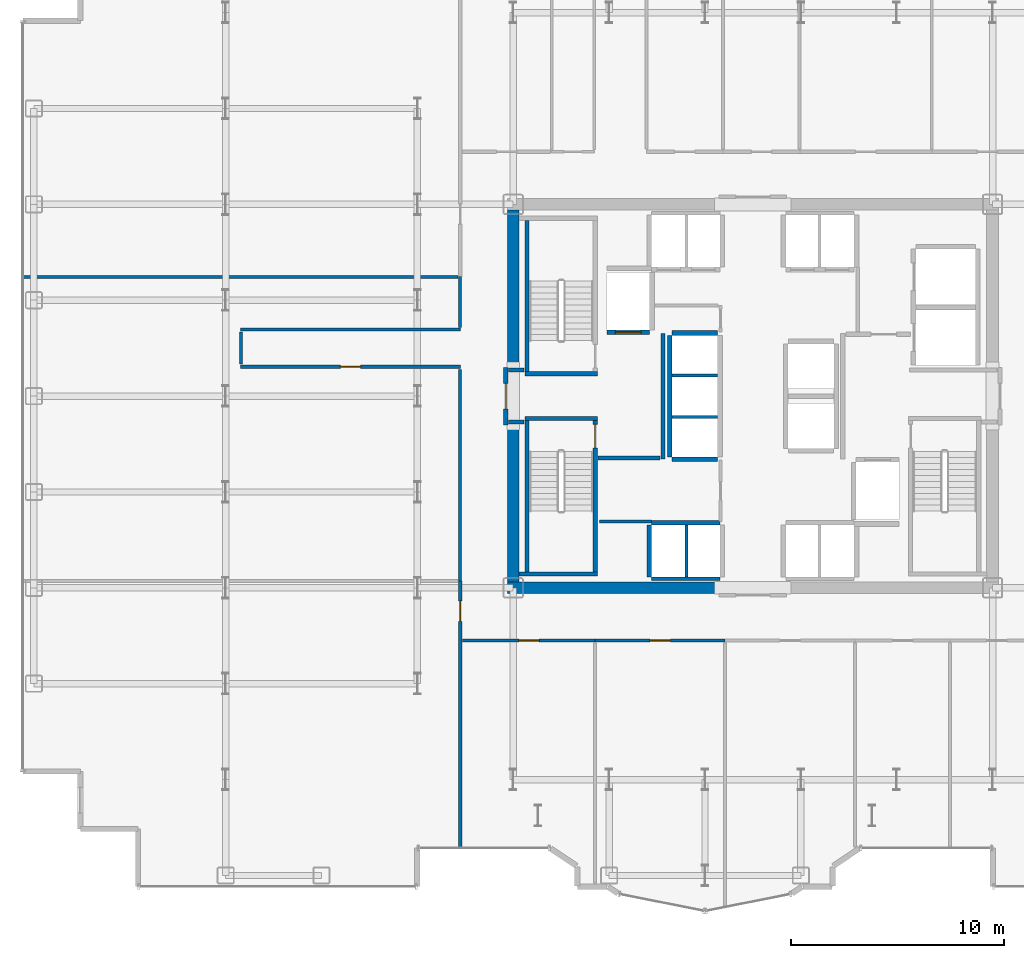
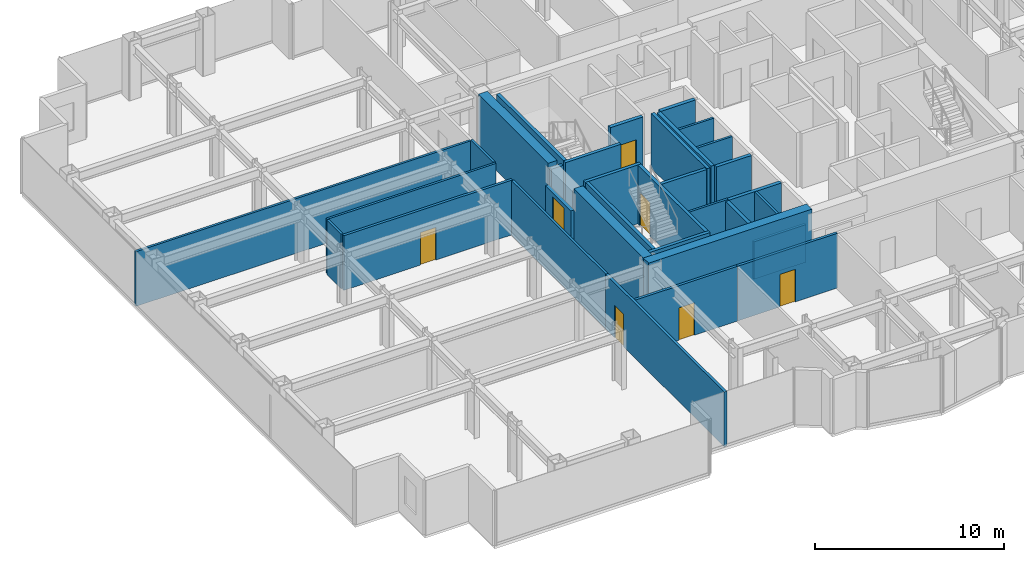
# One storey, part 20 of 26: 34 walls, 7 doors, 7 openings.
"""IFC4 building model written with IfcOpenShell, lengths in metres."""

from ifc_helpers import new_model, si_unit, direction, frame, frame_2d, origin, place, context, subcontext, project, spatial, rectangle, extrude, source, transform, mapped, material, layer, layer_set, type_object, element, fill, save


model = new_model("IFC4")

# Units and contexts
model_context = context("Model", 3, precision=1e-05, world=origin(), true_north=direction((0.0, 1.0)))
body_context = subcontext(model_context, "Body", "Model", "MODEL_VIEW")
ifc_project = project(units=[si_unit("LENGTHUNIT", "METRE"), si_unit("AREAUNIT", "SQUARE_METRE"), si_unit("VOLUMEUNIT", "CUBIC_METRE"), si_unit("PLANEANGLEUNIT", "RADIAN"), si_unit("MASSUNIT", "GRAM", prefix="KILO")], contexts=[model_context])

# Site, building, storey
site_placement = place(None, origin())
site = spatial("IfcSite", under=ifc_project, at=site_placement, CompositionType="ELEMENT")
building_placement = place(site_placement, origin())
building = spatial("IfcBuilding", under=site, at=building_placement, Name="Nefas-Gora Pilgrimage Tower", CompositionType="ELEMENT")
storey_placement = place(building_placement, frame((0.0, 0.0, 132.60009765625)))
storey = spatial("IfcBuildingStorey", under=building, at=storey_placement, Name="L32", CompositionType="ELEMENT", Elevation=132.60009765625)

# Walls
ifc_material_1 = material(Name="Concrete C60/75", Category="concrete")
ifc_layer_1 = layer(ifc_material_1, 0.550048828125)
ifc_layer_set_1 = layer_set([ifc_layer_1], Name="Concrete C60/75")
wall_type_1 = type_object("IfcWallType", Name="SW-CORE-550", PredefinedType="SHEAR", material=ifc_layer_set_1)
shared_shape_1 = source(origin(), body_context, "Body", "SweptSolid", [
    extrude(rectangle(XDim=9.974853515625, YDim=0.550048828125, at=frame_2d((4.9873046875, 0.0))), origin(), (0.0, 0.0, 1.0), 3.7998046875),
])
wall_1_placement = place(storey_placement, frame((-11.52490234375, -9.0, 0.0), z_axis=(0.0, 0.0, 1.0), x_axis=(1.0, 0.0, 0.0)))
element("IfcWall", 1, at=wall_1_placement, inside=storey, type_object=wall_type_1, Name="L32 Core Shear Wall S-West", PredefinedType="SHEAR", context=body_context, shape_type="MappedRepresentation", body=[
    mapped(shared_shape_1, transform((0.0, 0.0, 0.0), x_axis=(1.0, 0.0, 0.0), y_axis=(0.0, 1.0, 0.0), z_axis=(0.0, 0.0, 1.0), scale=1.0)),
])
shared_shape_2 = source(origin(), body_context, "Body", "SweptSolid", [
    extrude(rectangle(XDim=7.375, YDim=0.550048828125, at=frame_2d((3.6875, 0.0))), origin(), (0.0, 0.0, 1.0), 3.7998046875),
])
for number, where, z_axis, x_axis, name in (
    (2, (-11.25, -8.72509765625, 0.0), (0.0, 0.0, 1.0), (0.0, 1.0, 0.0), "L32 Core Shear Wall W-South"),
    (3, (-11.25, 1.35009765625, 0.0), (0.0, 0.0, 1.0), (0.0, 1.0, 0.0), "L32 Core Shear Wall W-North"),
):
    element("IfcWall", number, at=place(storey_placement, frame(where, z_axis=z_axis, x_axis=x_axis)), inside=storey, type_object=wall_type_1, Name=name, PredefinedType="SHEAR", context=body_context, shape_type="MappedRepresentation", body=[
        mapped(shared_shape_2, transform((0.0, 0.0, 0.0), x_axis=(1.0, 0.0, 0.0), y_axis=(0.0, 1.0, 0.0), z_axis=(0.0, 0.0, 1.0), scale=1.0)),
    ])
ifc_material_2 = material(Name="Concrete C45/55", Category="concrete")
ifc_layer_2 = layer(ifc_material_2, 0.199951171875)
ifc_layer_set_2 = layer_set([ifc_layer_2], Name="Concrete C45/55")
wall_type_2 = type_object("IfcWallType", Name="IW-STAIR-200", PredefinedType="SOLIDWALL", material=ifc_layer_set_2)
shared_shape_3 = source(origin(), body_context, "Body", "SweptSolid", [
    extrude(rectangle(XDim=3.39990234375, YDim=0.199951171875, at=frame_2d((1.699951171875, 0.0))), origin(), (0.0, 0.0, 1.0), 3.7998046875),
])
for number, where, z_axis, x_axis, name in (
    (4, (-7.300048828125, 1.050048828125, 0.0), (0.0, 0.0, 1.0), (-1.0, 0.0, 0.0), "L32 Stairwell Shear Wall ST-01-near"),
    (5, (-10.699951171875, -1.050048828125, 0.0), (0.0, 0.0, 1.0), (1.0, 0.0, 0.0), "L32 Stairwell Shear Wall ST-03-near"),
):
    element("IfcWall", number, at=place(storey_placement, frame(where, z_axis=z_axis, x_axis=x_axis)), inside=storey, type_object=wall_type_2, Name=name, PredefinedType="SOLIDWALL", context=body_context, shape_type="MappedRepresentation", body=[
        mapped(shared_shape_3, transform((0.0, 0.0, 0.0), x_axis=(1.0, 0.0, 0.0), y_axis=(0.0, 1.0, 0.0), z_axis=(0.0, 0.0, 1.0), scale=1.0)),
    ])
shared_shape_4 = source(origin(), body_context, "Body", "SweptSolid", [
    extrude(rectangle(XDim=7.10009765625, YDim=0.199951171875, at=frame_2d((3.550048828125, 0.0))), origin(), (0.0, 0.0, 1.0), 3.7998046875),
])
for number, where, z_axis, x_axis, name in (
    (6, (-10.60009765625, 1.14990234375, 0.0), (0.0, 0.0, 1.0), (0.0, 1.0, 0.0), "L32 Stairwell Shear Wall ST-01-right"),
    (7, (-10.60009765625, -1.14990234375, 0.0), (0.0, 0.0, 1.0), (0.0, -1.0, 0.0), "L32 Stairwell Shear Wall ST-03-left"),
):
    element("IfcWall", number, at=place(storey_placement, frame(where, z_axis=z_axis, x_axis=x_axis)), inside=storey, type_object=wall_type_2, Name=name, PredefinedType="SOLIDWALL", context=body_context, shape_type="MappedRepresentation", body=[
        mapped(shared_shape_4, transform((0.0, 0.0, 0.0), x_axis=(1.0, 0.0, 0.0), y_axis=(0.0, 1.0, 0.0), z_axis=(0.0, 0.0, 1.0), scale=1.0)),
    ])

# Wall, opening, door
wall_2_placement = place(storey_placement, frame((-7.39990234375, -1.14990234375, 0.0), z_axis=(0.0, 0.0, 1.0), x_axis=(0.0, -1.0, 0.0)))
wall_2 = element("IfcWall", 8, at=wall_2_placement, inside=storey, type_object=wall_type_2, Name="L32 Stairwell Shear Wall ST-03-right", PredefinedType="SOLIDWALL", context=body_context, shape_type="MappedRepresentation", body=[
    mapped(shared_shape_4, transform((0.0, 0.0, 0.0), x_axis=(1.0, 0.0, 0.0), y_axis=(0.0, 1.0, 0.0), z_axis=(0.0, 0.0, 1.0), scale=1.0)),
])
opening_1_placement = place(wall_2_placement, frame((0.179931640625, 0.0, 0.0)))
opening_1 = element("IfcOpeningElement", 9, at=opening_1_placement, cuts=wall_2, Name="Opening ID-ST1", PredefinedType="OPENING", context=body_context, shape_type="SweptSolid", body=[
    extrude(rectangle(XDim=1.10009765625, YDim=2.14990234375, at=frame_2d((0.550048828125, 1.074951171875))), frame((0.0, 0.10986328125, 0.0), z_axis=(0.0, -1.0, 0.0), x_axis=(1.0, 0.0, 0.0)), (0.0, 0.0, 1.0), 0.219970703125),
])
ifc_material_3 = material(Name="Painted galvanised steel fire stair door", Category="steel")
door_type_1 = type_object("IfcDoorType", Name="DR-INT-STAIR-1100", OperationType="NOTDEFINED", PredefinedType="DOOR", material=ifc_material_3)
shared_shape_5 = source(origin(), body_context, "Body", "SweptSolid", [
    extrude(rectangle(XDim=1.10009765625, YDim=2.14990234375, at=frame_2d((0.550048828125, 1.074951171875))), frame((0.0, 0.02490234375, 0.0), z_axis=(0.0, -1.0, 0.0), x_axis=(1.0, 0.0, 0.0)), (0.0, 0.0, 1.0), 0.050048828125),
])
door_1_placement = place(opening_1_placement, origin())
door_1 = element("IfcDoor", 10, at=door_1_placement, inside=storey, type_object=door_type_1, Name="L32 Protected Exit Stair Door ST-03", OperationType="SINGLE_SWING_RIGHT", OverallHeight=2.14990234375, OverallWidth=1.10009765625, PredefinedType="DOOR", context=body_context, shape_type="MappedRepresentation", body=[
    mapped(shared_shape_5, transform((0.0, 0.0, 0.0), x_axis=(1.0, 0.0, 0.0), y_axis=(0.0, 1.0, 0.0), z_axis=(0.0, 0.0, 1.0), scale=1.0)),
])
fill(opening_1, door_1)

# Wall
shared_shape_6 = source(origin(), body_context, "Body", "SweptSolid", [
    extrude(rectangle(XDim=3.679931640625, YDim=0.199951171875, at=frame_2d((1.83984375, 0.0))), origin(), (0.0, 0.0, 1.0), 3.7998046875),
])
wall_3_placement = place(storey_placement, frame((-10.97998046875, -8.35009765625, 0.0), z_axis=(0.0, 0.0, 1.0), x_axis=(1.0, 0.0, 0.0)))
element("IfcWall", 11, at=wall_3_placement, inside=storey, type_object=wall_type_2, Name="L32 Stairwell Shear Wall ST-03-far", PredefinedType="SOLIDWALL", context=body_context, shape_type="MappedRepresentation", body=[
    mapped(shared_shape_6, transform((0.0, 0.0, 0.0), x_axis=(1.0, 0.0, 0.0), y_axis=(0.0, 1.0, 0.0), z_axis=(0.0, 0.0, 1.0), scale=1.0)),
])

# Wall, opening, door
ifc_material_4 = material(Name="Concrete C40/50", Category="concrete")
ifc_layer_3 = layer(ifc_material_4, 0.219970703125)
ifc_layer_set_3 = layer_set([ifc_layer_3], Name="Concrete C40/50")
wall_type_3 = type_object("IfcWallType", Name="IW-SHAFT-220", PredefinedType="SOLIDWALL", material=ifc_layer_set_3)
shared_shape_7 = source(origin(), body_context, "Body", "SweptSolid", [
    extrude(rectangle(XDim=2.0, YDim=0.219970703125, at=frame_2d((1.0, 0.0))), origin(), (0.0, 0.0, 1.0), 3.534912109375),
])
wall_4_placement = place(storey_placement, frame((-6.85009765625, 2.989990234375, 0.0), z_axis=(0.0, 0.0, 1.0), x_axis=(1.0, 0.0, 0.0)))
wall_4 = element("IfcWall", 12, at=wall_4_placement, inside=storey, type_object=wall_type_3, Name="L32 Hoistway Wall FFL-01-S", PredefinedType="SOLIDWALL", context=body_context, shape_type="MappedRepresentation", body=[
    mapped(shared_shape_7, transform((0.0, 0.0, 0.0), x_axis=(1.0, 0.0, 0.0), y_axis=(0.0, 1.0, 0.0), z_axis=(0.0, 0.0, 1.0), scale=1.0)),
])
opening_2_placement = place(wall_4_placement, frame((0.39990234375, 0.0, 0.0)))
opening_2 = element("IfcOpeningElement", 13, at=opening_2_placement, cuts=wall_4, Name="Opening LD-FF", PredefinedType="OPENING", context=body_context, shape_type="SweptSolid", body=[
    extrude(rectangle(XDim=1.199951171875, YDim=2.199951171875, at=frame_2d((0.60009765625, 1.10009765625))), frame((0.0, 0.119873046875, 0.0), z_axis=(0.0, -1.0, 0.0), x_axis=(1.0, 0.0, 0.0)), (0.0, 0.0, 1.0), 0.239990234375),
])
ifc_material_5 = material(Name="Fire-service sliding lift landing door")
door_type_2 = type_object("IfcDoorType", Name="DR-LIFT-FSAE-1200", OperationType="SLIDING_TO_LEFT", PredefinedType="DOOR", material=ifc_material_5)
shared_shape_8 = source(origin(), body_context, "Body", "SweptSolid", [
    extrude(rectangle(XDim=1.199951171875, YDim=2.199951171875, at=frame_2d((0.60009765625, 1.10009765625))), frame((0.0, 0.02490234375, 0.0), z_axis=(0.0, -1.0, 0.0), x_axis=(1.0, 0.0, 0.0)), (0.0, 0.0, 1.0), 0.050048828125),
])
door_2_placement = place(opening_2_placement, origin())
door_2 = element("IfcDoor", 14, at=door_2_placement, inside=storey, type_object=door_type_2, Name="L32 Sliding Lift Landing Door FFL-01", OperationType="SLIDING_TO_LEFT", OverallHeight=2.199951171875, OverallWidth=1.199951171875, PredefinedType="DOOR", context=body_context, shape_type="MappedRepresentation", body=[
    mapped(shared_shape_8, transform((0.0, 0.0, 0.0), x_axis=(1.0, 0.0, 0.0), y_axis=(0.0, 1.0, 0.0), z_axis=(0.0, 0.0, 1.0), scale=1.0)),
])
fill(opening_2, door_2)

# Walls
shared_shape_9 = source(origin(), body_context, "Body", "SweptSolid", [
    extrude(rectangle(XDim=3.199951171875, YDim=0.219970703125, at=frame_2d((1.60009765625, 0.0))), origin(), (0.0, 0.0, 1.0), 3.534912109375),
])
wall_5_placement = place(storey_placement, frame((-1.550048828125, -5.93994140625, 0.0), z_axis=(0.0, 0.0, 1.0), x_axis=(-1.0, 0.0, 0.0)))
element("IfcWall", 15, at=wall_5_placement, inside=storey, type_object=wall_type_3, Name="L32 Hoistway Wall PL2-W-N", PredefinedType="SOLIDWALL", context=body_context, shape_type="MappedRepresentation", body=[
    mapped(shared_shape_9, transform((0.0, 0.0, 0.0), x_axis=(1.0, 0.0, 0.0), y_axis=(0.0, 1.0, 0.0), z_axis=(0.0, 0.0, 1.0), scale=1.0)),
])
shared_shape_10 = source(origin(), body_context, "Body", "SweptSolid", [
    extrude(rectangle(XDim=2.429931640625, YDim=0.219970703125, at=frame_2d((1.21484375, 0.0))), origin(), (0.0, 0.0, 1.0), 3.534912109375),
])
wall_6_placement = place(storey_placement, frame((-4.860107421875, -6.06005859375, 0.0), z_axis=(0.0, 0.0, 1.0), x_axis=(0.0, -1.0, 0.0)))
element("IfcWall", 16, at=wall_6_placement, inside=storey, type_object=wall_type_3, Name="L32 Hoistway Wall PL2-W-W", PredefinedType="SOLIDWALL", context=body_context, shape_type="MappedRepresentation", body=[
    mapped(shared_shape_10, transform((0.0, 0.0, 0.0), x_axis=(1.0, 0.0, 0.0), y_axis=(0.0, 1.0, 0.0), z_axis=(0.0, 0.0, 1.0), scale=1.0)),
])
ifc_material_6 = material(Name="Gypsum twin-stud partition")
ifc_layer_4 = layer(ifc_material_6, 0.139892578125)
ifc_layer_set_4 = layer_set([ifc_layer_4], Name="Gypsum twin-stud partition")
wall_type_4 = type_object("IfcWallType", Name="IW-UNIT-140", PredefinedType="PARTITIONING", material=ifc_layer_set_4)
shared_shape_11 = source(origin(), body_context, "Body", "SweptSolid", [
    extrude(rectangle(XDim=2.429931640625, YDim=0.139892578125, at=frame_2d((1.21484375, 0.0))), origin(), (0.0, 0.0, 1.0), 3.534912109375),
])
wall_7_placement = place(storey_placement, frame((-3.125, -8.489990234375, 0.0), z_axis=(0.0, 0.0, 1.0), x_axis=(0.0, 1.0, 0.0)))
element("IfcWall", 17, at=wall_7_placement, inside=storey, type_object=wall_type_4, Name="L32 Hoistway Wall PL2-W-DIV", PredefinedType="PARTITIONING", context=body_context, shape_type="MappedRepresentation", body=[
    mapped(shared_shape_11, transform((0.0, 0.0, 0.0), x_axis=(1.0, 0.0, 0.0), y_axis=(0.0, 1.0, 0.0), z_axis=(0.0, 0.0, 1.0), scale=1.0)),
])
shared_shape_12 = source(origin(), body_context, "Body", "SweptSolid", [
    extrude(rectangle(XDim=5.7001953125, YDim=0.219970703125, at=frame_2d((2.85009765625, 0.0))), origin(), (0.0, 0.0, 1.0), 3.534912109375),
])
wall_8_placement = place(storey_placement, frame((-3.909912109375, 2.85009765625, 0.0), z_axis=(0.0, 0.0, 1.0), x_axis=(0.0, -1.0, 0.0)))
element("IfcWall", 18, at=wall_8_placement, inside=storey, type_object=wall_type_3, Name="L32 Hoistway Wall PL3-01-03-W", PredefinedType="SOLIDWALL", context=body_context, shape_type="MappedRepresentation", body=[
    mapped(shared_shape_12, transform((0.0, 0.0, 0.0), x_axis=(1.0, 0.0, 0.0), y_axis=(0.0, 1.0, 0.0), z_axis=(0.0, 0.0, 1.0), scale=1.0)),
])
shared_shape_13 = source(origin(), body_context, "Body", "SweptSolid", [
    extrude(rectangle(XDim=2.130126953125, YDim=0.219970703125, at=frame_2d((1.06494140625, 0.0))), origin(), (0.0, 0.0, 1.0), 3.534912109375),
])
for number, where, z_axis, x_axis, name in (
    (19, (-3.7900390625, -2.9599609375, 0.0), (0.0, 0.0, 1.0), (1.0, 0.0, 0.0), "L32 Hoistway Wall PL3-01-S"),
    (20, (-1.659912109375, 2.9599609375, 0.0), (0.0, 0.0, 1.0), (-1.0, 0.0, 0.0), "L32 Hoistway Wall PL3-03-N"),
):
    element("IfcWall", number, at=place(storey_placement, frame(where, z_axis=z_axis, x_axis=x_axis)), inside=storey, type_object=wall_type_3, Name=name, PredefinedType="SOLIDWALL", context=body_context, shape_type="MappedRepresentation", body=[
        mapped(shared_shape_13, transform((0.0, 0.0, 0.0), x_axis=(1.0, 0.0, 0.0), y_axis=(0.0, 1.0, 0.0), z_axis=(0.0, 0.0, 1.0), scale=1.0)),
    ])
shared_shape_14 = source(origin(), body_context, "Body", "SweptSolid", [
    extrude(rectangle(XDim=2.130126953125, YDim=0.139892578125, at=frame_2d((1.06494140625, 0.0))), origin(), (0.0, 0.0, 1.0), 3.534912109375),
])
for number, where, z_axis, x_axis, name in (
    (21, (-3.7900390625, -0.97509765625, 0.0), (0.0, 0.0, 1.0), (1.0, 0.0, 0.0), "L32 Hoistway Wall PL3-01-02-DIV"),
    (22, (-3.7900390625, 0.97509765625, 0.0), (0.0, 0.0, 1.0), (1.0, 0.0, 0.0), "L32 Hoistway Wall PL3-02-03-DIV"),
):
    element("IfcWall", number, at=place(storey_placement, frame(where, z_axis=z_axis, x_axis=x_axis)), inside=storey, type_object=wall_type_4, Name=name, PredefinedType="PARTITIONING", context=body_context, shape_type="MappedRepresentation", body=[
        mapped(shared_shape_14, transform((0.0, 0.0, 0.0), x_axis=(1.0, 0.0, 0.0), y_axis=(0.0, 1.0, 0.0), z_axis=(0.0, 0.0, 1.0), scale=1.0)),
    ])
ifc_material_7 = material(Name="Gypsum acoustic stud partition")
ifc_layer_5 = layer(ifc_material_7, 0.159912109375)
ifc_layer_set_5 = layer_set([ifc_layer_5], Name="Gypsum acoustic stud partition")
wall_type_5 = type_object("IfcWallType", Name="IW-CORR-160", PredefinedType="PARTITIONING", material=ifc_layer_set_5)
shared_shape_15 = source(origin(), body_context, "Body", "SweptSolid", [
    extrude(rectangle(XDim=3.199951171875, YDim=0.159912109375, at=frame_2d((1.60009765625, 0.0))), origin(), (0.0, 0.0, 1.0), 2.4248046875),
])
wall_9_placement = place(storey_placement, frame((-4.75, -8.580078125, 0.0), z_axis=(0.0, 0.0, 1.0), x_axis=(1.0, 0.0, 0.0)))
element("IfcWall", 23, at=wall_9_placement, inside=storey, type_object=wall_type_5, Name="L32 Hoistway Wall PL2-W-S", PredefinedType="PARTITIONING", context=body_context, shape_type="MappedRepresentation", body=[
    mapped(shared_shape_15, transform((0.0, 0.0, 0.0), x_axis=(1.0, 0.0, 0.0), y_axis=(0.0, 1.0, 0.0), z_axis=(0.0, 0.0, 1.0), scale=1.0)),
])
ifc_material_8 = material(Name="Gypsum fire-rated shaftwall")
ifc_layer_6 = layer(ifc_material_8, 0.199951171875)
ifc_layer_set_6 = layer_set([ifc_layer_6], Name="Gypsum fire-rated shaftwall")
wall_type_6 = type_object("IfcWallType", Name="IW-FFLOB-200", PredefinedType="PARTITIONING", material=ifc_layer_set_6)
shared_shape_16 = source(origin(), body_context, "Body", "SweptSolid", [
    extrude(rectangle(XDim=5.89990234375, YDim=0.199951171875, at=frame_2d((2.949951171875, 0.0))), origin(), (0.0, 0.0, 1.0), 3.534912109375),
])
wall_10_placement = place(storey_placement, frame((-4.219970703125, -2.949951171875, 0.0), z_axis=(0.0, 0.0, 1.0), x_axis=(0.0, 1.0, 0.0)))
element("IfcWall", 24, at=wall_10_placement, inside=storey, type_object=wall_type_6, Name="L32 FF Lobby West Inner Wall Wall 4", PredefinedType="PARTITIONING", context=body_context, shape_type="MappedRepresentation", body=[
    mapped(shared_shape_16, transform((0.0, 0.0, 0.0), x_axis=(1.0, 0.0, 0.0), y_axis=(0.0, 1.0, 0.0), z_axis=(0.0, 0.0, 1.0), scale=1.0)),
])
shared_shape_17 = source(origin(), body_context, "Body", "SweptSolid", [
    extrude(rectangle(XDim=2.89990234375, YDim=0.199951171875, at=frame_2d((1.449951171875, 0.0))), origin(), (0.0, 0.0, 1.0), 3.534912109375),
])
wall_11_placement = place(storey_placement, frame((-7.260009765625, -2.89990234375, 0.0), z_axis=(0.0, 0.0, 1.0), x_axis=(1.0, 0.0, 0.0)))
element("IfcWall", 25, at=wall_11_placement, inside=storey, type_object=wall_type_6, Name="L32 FF Lobby West South Wall Wall 5", PredefinedType="PARTITIONING", context=body_context, shape_type="MappedRepresentation", body=[
    mapped(shared_shape_17, transform((0.0, 0.0, 0.0), x_axis=(1.0, 0.0, 0.0), y_axis=(0.0, 1.0, 0.0), z_axis=(0.0, 0.0, 1.0), scale=1.0)),
])
shared_shape_18 = source(origin(), body_context, "Body", "SweptSolid", [
    extrude(rectangle(XDim=0.719970703125, YDim=0.199951171875, at=frame_2d((0.35986328125, 0.0))), origin(), (0.0, 0.0, 1.0), 3.534912109375),
])
for number, where, z_axis, x_axis, name in (
    (26, (-11.4599609375, 1.219970703125, 0.0), (0.0, 0.0, 1.0), (1.0, 0.0, 0.0), "L32 FF Lobby West Throat N Wall 6"),
    (27, (-11.4599609375, -1.219970703125, 0.0), (0.0, 0.0, 1.0), (1.0, 0.0, 0.0), "L32 FF Lobby West Throat S Wall 7"),
):
    element("IfcWall", number, at=place(storey_placement, frame(where, z_axis=z_axis, x_axis=x_axis)), inside=storey, type_object=wall_type_6, Name=name, PredefinedType="PARTITIONING", context=body_context, shape_type="MappedRepresentation", body=[
        mapped(shared_shape_18, transform((0.0, 0.0, 0.0), x_axis=(1.0, 0.0, 0.0), y_axis=(0.0, 1.0, 0.0), z_axis=(0.0, 0.0, 1.0), scale=1.0)),
    ])
shared_shape_19 = source(origin(), body_context, "Body", "SweptSolid", [
    extrude(rectangle(XDim=2.43505859375, YDim=0.139892578125, at=frame_2d((1.217529296875, 0.0))), origin(), (0.0, 0.0, 1.0), 3.534912109375),
])
wall_12_placement = place(storey_placement, frame((-7.18994140625, -5.8798828125, 0.0), z_axis=(0.0, 0.0, 1.0), x_axis=(1.0, 0.0, 0.0)))
element("IfcWall", 28, at=wall_12_placement, inside=storey, type_object=wall_type_4, Name="L32 Pilgrim Baggage and Gear Vault Partition Wall 19", PredefinedType="PARTITIONING", context=body_context, shape_type="MappedRepresentation", body=[
    mapped(shared_shape_19, transform((0.0, 0.0, 0.0), x_axis=(1.0, 0.0, 0.0), y_axis=(0.0, 1.0, 0.0), z_axis=(0.0, 0.0, 1.0), scale=1.0)),
])
shared_shape_20 = source(origin(), body_context, "Body", "SweptSolid", [
    extrude(rectangle(XDim=20.43994140625, YDim=0.139892578125, at=frame_2d((10.219970703125, 0.0))), origin(), (0.0, 0.0, 1.0), 3.534912109375),
])
wall_13_placement = place(storey_placement, frame((-34.2900390625, 5.594970703125, 0.0), z_axis=(0.0, 0.0, 1.0), x_axis=(1.0, 0.0, 0.0)))
element("IfcWall", 29, at=wall_13_placement, inside=storey, type_object=wall_type_4, Name="L32 Pilgrim Floor Concierge Foyer Partition Wall 29", PredefinedType="PARTITIONING", context=body_context, shape_type="MappedRepresentation", body=[
    mapped(shared_shape_20, transform((0.0, 0.0, 0.0), x_axis=(1.0, 0.0, 0.0), y_axis=(0.0, 1.0, 0.0), z_axis=(0.0, 0.0, 1.0), scale=1.0)),
])

# Wall, opening, door
shared_shape_21 = source(origin(), body_context, "Body", "SweptSolid", [
    extrude(rectangle(XDim=2.7001953125, YDim=0.199951171875, at=frame_2d((1.35009765625, 0.0))), origin(), (0.0, 0.0, 1.0), 2.4248046875),
])
wall_14_placement = place(storey_placement, frame((-11.60009765625, -1.35009765625, 0.0), z_axis=(0.0, 0.0, 1.0), x_axis=(0.0, 1.0, 0.0)))
wall_14 = element("IfcWall", 30, at=wall_14_placement, inside=storey, type_object=wall_type_6, Name="L32 FF Lobby West Portal Wall 3", PredefinedType="PARTITIONING", context=body_context, shape_type="MappedRepresentation", body=[
    mapped(shared_shape_21, transform((0.0, 0.0, 0.0), x_axis=(1.0, 0.0, 0.0), y_axis=(0.0, 1.0, 0.0), z_axis=(0.0, 0.0, 1.0), scale=1.0)),
])
opening_3_placement = place(wall_14_placement, frame((0.75, 0.0, 0.0)))
opening_3 = element("IfcOpeningElement", 31, at=opening_3_placement, cuts=wall_14, Name="Opening ID-FF1", PredefinedType="OPENING", context=body_context, shape_type="SweptSolid", body=[
    extrude(rectangle(XDim=1.199951171875, YDim=2.14990234375, at=frame_2d((0.60009765625, 1.074951171875))), frame((0.0, 0.10986328125, 0.0), z_axis=(0.0, -1.0, 0.0), x_axis=(1.0, 0.0, 0.0)), (0.0, 0.0, 1.0), 0.219970703125),
])
ifc_material_9 = material(Name="Smoke-sealed steel firefighting lobby door", Category="steel")
door_type_3 = type_object("IfcDoorType", Name="DR-INT-FFLOB-1200", OperationType="NOTDEFINED", PredefinedType="DOOR", material=ifc_material_9)
shared_shape_22 = source(origin(), body_context, "Body", "SweptSolid", [
    extrude(rectangle(XDim=1.199951171875, YDim=2.14990234375, at=frame_2d((0.60009765625, 1.074951171875))), frame((0.0, 0.02490234375, 0.0), z_axis=(0.0, -1.0, 0.0), x_axis=(1.0, 0.0, 0.0)), (0.0, 0.0, 1.0), 0.050048828125),
])
door_3_placement = place(opening_3_placement, origin())
door_3 = element("IfcDoor", 32, at=door_3_placement, inside=storey, type_object=door_type_3, Name="L32 FF Lobby West Portal Door 1", OperationType="SINGLE_SWING_RIGHT", OverallHeight=2.14990234375, OverallWidth=1.199951171875, PredefinedType="DOOR", context=body_context, shape_type="MappedRepresentation", body=[
    mapped(shared_shape_22, transform((0.0, 0.0, 0.0), x_axis=(1.0, 0.0, 0.0), y_axis=(0.0, 1.0, 0.0), z_axis=(0.0, 0.0, 1.0), scale=1.0)),
])
fill(opening_3, door_3)

shared_shape_23 = source(origin(), body_context, "Body", "SweptSolid", [
    extrude(rectangle(XDim=6.22509765625, YDim=0.159912109375, at=frame_2d((3.112548828125, 0.0))), origin(), (0.0, 0.0, 1.0), 3.534912109375),
])
wall_15_placement = place(storey_placement, frame((-13.6201171875, -11.469970703125, 0.0), z_axis=(0.0, 0.0, 1.0), x_axis=(1.0, 0.0, 0.0)))
wall_15 = element("IfcWall", 33, at=wall_15_placement, inside=storey, type_object=wall_type_5, Name="L32 Pilgrim Contemplative Lounge Partition Wall 52", PredefinedType="PARTITIONING", context=body_context, shape_type="MappedRepresentation", body=[
    mapped(shared_shape_23, transform((0.0, 0.0, 0.0), x_axis=(1.0, 0.0, 0.0), y_axis=(0.0, 1.0, 0.0), z_axis=(0.0, 0.0, 1.0), scale=1.0)),
])
opening_4_placement = place(wall_15_placement, frame((2.637451171875, 0.0, 0.0)))
opening_4 = element("IfcOpeningElement", 34, at=opening_4_placement, cuts=wall_15, Name="Opening ID-GR1", PredefinedType="OPENING", context=body_context, shape_type="SweptSolid", body=[
    extrude(rectangle(XDim=0.949951171875, YDim=2.10009765625, at=frame_2d((0.47509765625, 1.050048828125))), frame((0.0, 0.08984375, 0.0), z_axis=(0.0, -1.0, 0.0), x_axis=(1.0, 0.0, 0.0)), (0.0, 0.0, 1.0), 0.179931640625),
])
ifc_material_10 = material(Name="Solid core oak fire-rated guest entrance door")
door_type_4 = type_object("IfcDoorType", Name="DR-INT-GUEST-950", OperationType="NOTDEFINED", PredefinedType="DOOR", material=ifc_material_10)
shared_shape_24 = source(origin(), body_context, "Body", "SweptSolid", [
    extrude(rectangle(XDim=0.949951171875, YDim=2.10009765625, at=frame_2d((0.47509765625, 1.050048828125))), frame((0.0, 0.02490234375, 0.0), z_axis=(0.0, -1.0, 0.0), x_axis=(1.0, 0.0, 0.0)), (0.0, 0.0, 1.0), 0.050048828125),
])
door_4_placement = place(opening_4_placement, origin())
door_4 = element("IfcDoor", 35, at=door_4_placement, inside=storey, type_object=door_type_4, Name="L32 Pilgrim Contemplative Lounge Door 23", OperationType="SINGLE_SWING_RIGHT", OverallHeight=2.10009765625, OverallWidth=0.949951171875, PredefinedType="DOOR", context=body_context, shape_type="MappedRepresentation", body=[
    mapped(shared_shape_24, transform((0.0, 0.0, 0.0), x_axis=(1.0, 0.0, 0.0), y_axis=(0.0, 1.0, 0.0), z_axis=(0.0, 0.0, 1.0), scale=1.0)),
])
fill(opening_4, door_4)

shared_shape_25 = source(origin(), body_context, "Body", "SweptSolid", [
    extrude(rectangle(XDim=10.31005859375, YDim=0.159912109375, at=frame_2d((5.155029296875, 0.0))), origin(), (0.0, 0.0, 1.0), 3.534912109375),
])
wall_16_placement = place(storey_placement, frame((-24.0400390625, 1.3798828125, 0.0), z_axis=(0.0, 0.0, 1.0), x_axis=(1.0, 0.0, 0.0)))
wall_16 = element("IfcWall", 36, at=wall_16_placement, inside=storey, type_object=wall_type_5, Name="L32 Pilgrim Floor Concierge Foyer Partition Wall 23", PredefinedType="PARTITIONING", context=body_context, shape_type="MappedRepresentation", body=[
    mapped(shared_shape_25, transform((0.0, 0.0, 0.0), x_axis=(1.0, 0.0, 0.0), y_axis=(0.0, 1.0, 0.0), z_axis=(0.0, 0.0, 1.0), scale=1.0)),
])
opening_5_placement = place(wall_16_placement, frame((4.679931640625, 0.0, 0.0)))
opening_5 = element("IfcOpeningElement", 37, at=opening_5_placement, cuts=wall_16, Name="Opening ID-GR1", PredefinedType="OPENING", context=body_context, shape_type="SweptSolid", body=[
    extrude(rectangle(XDim=0.949951171875, YDim=2.10009765625, at=frame_2d((0.47509765625, 1.050048828125))), frame((0.0, 0.08984375, 0.0), z_axis=(0.0, -1.0, 0.0), x_axis=(1.0, 0.0, 0.0)), (0.0, 0.0, 1.0), 0.179931640625),
])
door_5_placement = place(opening_5_placement, origin())
door_5 = element("IfcDoor", 38, at=door_5_placement, inside=storey, type_object=door_type_4, Name="L32 Pilgrim Floor Concierge Foyer Door 9", OperationType="SINGLE_SWING_RIGHT", OverallHeight=2.10009765625, OverallWidth=0.949951171875, PredefinedType="DOOR", context=body_context, shape_type="MappedRepresentation", body=[
    mapped(shared_shape_24, transform((0.0, 0.0, 0.0), x_axis=(1.0, 0.0, 0.0), y_axis=(0.0, 1.0, 0.0), z_axis=(0.0, 0.0, 1.0), scale=1.0)),
])
fill(opening_5, door_5)

# Walls
shared_shape_26 = source(origin(), body_context, "Body", "SweptSolid", [
    extrude(rectangle(XDim=10.31005859375, YDim=0.139892578125, at=frame_2d((5.155029296875, 0.0))), origin(), (0.0, 0.0, 1.0), 3.534912109375),
])
wall_17_placement = place(storey_placement, frame((-24.0400390625, 3.1201171875, 0.0), z_axis=(0.0, 0.0, 1.0), x_axis=(1.0, 0.0, 0.0)))
element("IfcWall", 39, at=wall_17_placement, inside=storey, type_object=wall_type_4, Name="L32 Pilgrim Floor Concierge Foyer Partition Wall 24", PredefinedType="PARTITIONING", context=body_context, shape_type="MappedRepresentation", body=[
    mapped(shared_shape_26, transform((0.0, 0.0, 0.0), x_axis=(1.0, 0.0, 0.0), y_axis=(0.0, 1.0, 0.0), z_axis=(0.0, 0.0, 1.0), scale=1.0)),
])
shared_shape_27 = source(origin(), body_context, "Body", "SweptSolid", [
    extrude(rectangle(XDim=9.947509765625, YDim=0.139892578125, at=frame_2d((4.9736328125, 0.0))), origin(), (0.0, 0.0, 1.0), 3.534912109375),
])
wall_18_placement = place(storey_placement, frame((-13.739990234375, -8.6875, 0.0), z_axis=(0.0, 0.0, 1.0), x_axis=(0.0, 1.0, 0.0)))
element("IfcWall", 40, at=wall_18_placement, inside=storey, type_object=wall_type_4, Name="L32 Pilgrim Floor Concierge Foyer Partition Wall 25", PredefinedType="PARTITIONING", context=body_context, shape_type="MappedRepresentation", body=[
    mapped(shared_shape_27, transform((0.0, 0.0, 0.0), x_axis=(1.0, 0.0, 0.0), y_axis=(0.0, 1.0, 0.0), z_axis=(0.0, 0.0, 1.0), scale=1.0)),
])
shared_shape_28 = source(origin(), body_context, "Body", "SweptSolid", [
    extrude(rectangle(XDim=2.375, YDim=0.139892578125, at=frame_2d((1.1875, 0.0))), origin(), (0.0, 0.0, 1.0), 3.534912109375),
])
wall_19_placement = place(storey_placement, frame((-13.739990234375, 3.22998046875, 0.0), z_axis=(0.0, 0.0, 1.0), x_axis=(0.0, 1.0, 0.0)))
element("IfcWall", 41, at=wall_19_placement, inside=storey, type_object=wall_type_4, Name="L32 Pilgrim Floor Concierge Foyer Partition Wall 26", PredefinedType="PARTITIONING", context=body_context, shape_type="MappedRepresentation", body=[
    mapped(shared_shape_28, transform((0.0, 0.0, 0.0), x_axis=(1.0, 0.0, 0.0), y_axis=(0.0, 1.0, 0.0), z_axis=(0.0, 0.0, 1.0), scale=1.0)),
])
shared_shape_29 = source(origin(), body_context, "Body", "SweptSolid", [
    extrude(rectangle(XDim=1.510009765625, YDim=0.139892578125, at=frame_2d((0.7548828125, 0.0))), origin(), (0.0, 0.0, 1.0), 3.534912109375),
])
wall_20_placement = place(storey_placement, frame((-24.02001953125, 1.5, 0.0), z_axis=(0.0, 0.0, 1.0), x_axis=(0.0, 1.0, 0.0)))
element("IfcWall", 42, at=wall_20_placement, inside=storey, type_object=wall_type_4, Name="L32 Pilgrim Floor Concierge Foyer Partition Wall 27", PredefinedType="PARTITIONING", context=body_context, shape_type="MappedRepresentation", body=[
    mapped(shared_shape_29, transform((0.0, 0.0, 0.0), x_axis=(1.0, 0.0, 0.0), y_axis=(0.0, 1.0, 0.0), z_axis=(0.0, 0.0, 1.0), scale=1.0)),
])

# Wall, opening, door
shared_shape_30 = source(origin(), body_context, "Body", "SweptSolid", [
    extrude(rectangle(XDim=12.552490234375, YDim=0.159912109375, at=frame_2d((6.2763671875, 0.0))), origin(), (0.0, 0.0, 1.0), 3.534912109375),
])
wall_21_placement = place(storey_placement, frame((-13.739990234375, -21.239990234375, 0.0), z_axis=(0.0, 0.0, 1.0), x_axis=(0.0, 1.0, 0.0)))
wall_21 = element("IfcWall", 43, at=wall_21_placement, inside=storey, type_object=wall_type_5, Name="L32 Pilgrim Floor Concierge Foyer Partition Wall 30", PredefinedType="PARTITIONING", context=body_context, shape_type="MappedRepresentation", body=[
    mapped(shared_shape_30, transform((0.0, 0.0, 0.0), x_axis=(1.0, 0.0, 0.0), y_axis=(0.0, 1.0, 0.0), z_axis=(0.0, 0.0, 1.0), scale=1.0)),
])
opening_6_placement = place(wall_21_placement, frame((10.666259765625, 0.0, 0.0)))
opening_6 = element("IfcOpeningElement", 44, at=opening_6_placement, cuts=wall_21, Name="Opening ID-GR1", PredefinedType="OPENING", context=body_context, shape_type="SweptSolid", body=[
    extrude(rectangle(XDim=0.949951171875, YDim=2.10009765625, at=frame_2d((0.47509765625, 1.050048828125))), frame((0.0, 0.08984375, 0.0), z_axis=(0.0, -1.0, 0.0), x_axis=(1.0, 0.0, 0.0)), (0.0, 0.0, 1.0), 0.179931640625),
])
door_6_placement = place(opening_6_placement, origin())
door_6 = element("IfcDoor", 45, at=door_6_placement, inside=storey, type_object=door_type_4, Name="L32 Pilgrim Floor Concierge Foyer Door 10", OperationType="SINGLE_SWING_LEFT", OverallHeight=2.10009765625, OverallWidth=0.949951171875, PredefinedType="DOOR", context=body_context, shape_type="MappedRepresentation", body=[
    mapped(shared_shape_24, transform((0.0, 0.0, 0.0), x_axis=(1.0, 0.0, 0.0), y_axis=(0.0, 1.0, 0.0), z_axis=(0.0, 0.0, 1.0), scale=1.0)),
])
fill(opening_6, door_6)

shared_shape_31 = source(origin(), body_context, "Body", "SweptSolid", [
    extrude(rectangle(XDim=6.10498046875, YDim=0.159912109375, at=frame_2d((3.052490234375, 0.0))), origin(), (0.0, 0.0, 1.0), 3.534912109375),
])
wall_22_placement = place(storey_placement, frame((-7.405029296875, -11.469970703125, 0.0), z_axis=(0.0, 0.0, 1.0), x_axis=(1.0, 0.0, 0.0)))
wall_22 = element("IfcWall", 46, at=wall_22_placement, inside=storey, type_object=wall_type_5, Name="L32 Pilgrim Contemplative Lounge Partition Wall 54", PredefinedType="PARTITIONING", context=body_context, shape_type="MappedRepresentation", body=[
    mapped(shared_shape_31, transform((0.0, 0.0, 0.0), x_axis=(1.0, 0.0, 0.0), y_axis=(0.0, 1.0, 0.0), z_axis=(0.0, 0.0, 1.0), scale=1.0)),
])
opening_7_placement = place(wall_22_placement, frame((2.577392578125, 0.0, 0.0)))
opening_7 = element("IfcOpeningElement", 47, at=opening_7_placement, cuts=wall_22, Name="Opening ID-GR1", PredefinedType="OPENING", context=body_context, shape_type="SweptSolid", body=[
    extrude(rectangle(XDim=0.949951171875, YDim=2.10009765625, at=frame_2d((0.47509765625, 1.050048828125))), frame((0.0, 0.08984375, 0.0), z_axis=(0.0, -1.0, 0.0), x_axis=(1.0, 0.0, 0.0)), (0.0, 0.0, 1.0), 0.179931640625),
])
door_7_placement = place(opening_7_placement, origin())
door_7 = element("IfcDoor", 48, at=door_7_placement, inside=storey, type_object=door_type_4, Name="L32 Pilgrim Contemplative Lounge Door 24", OperationType="SINGLE_SWING_LEFT", OverallHeight=2.10009765625, OverallWidth=0.949951171875, PredefinedType="DOOR", context=body_context, shape_type="MappedRepresentation", body=[
    mapped(shared_shape_24, transform((0.0, 0.0, 0.0), x_axis=(1.0, 0.0, 0.0), y_axis=(0.0, 1.0, 0.0), z_axis=(0.0, 0.0, 1.0), scale=1.0)),
])
fill(opening_7, door_7)

save(model, "model.ifc")
